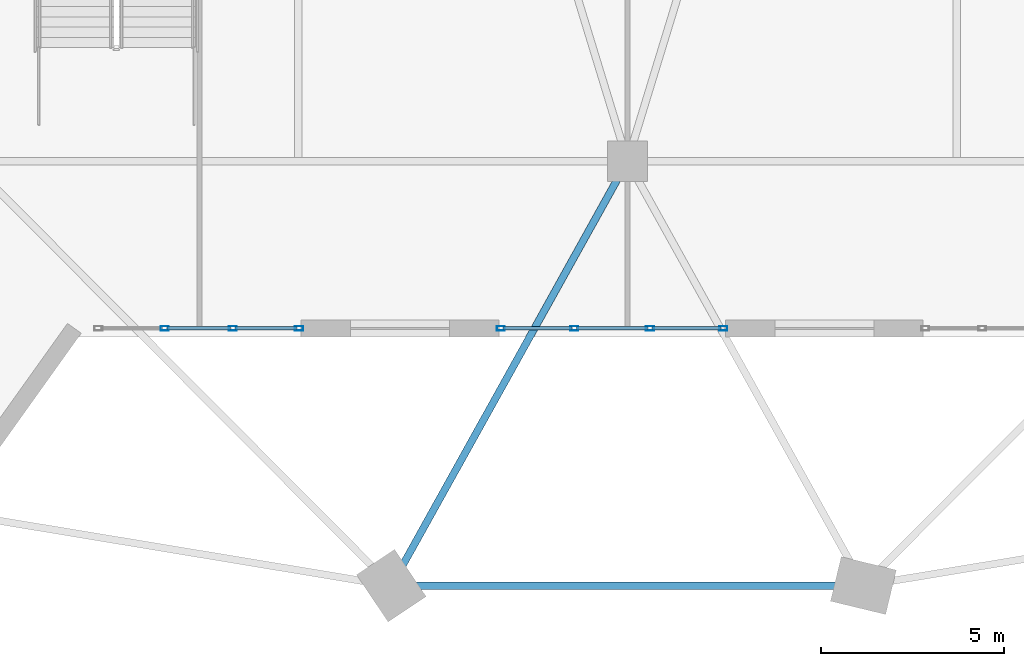
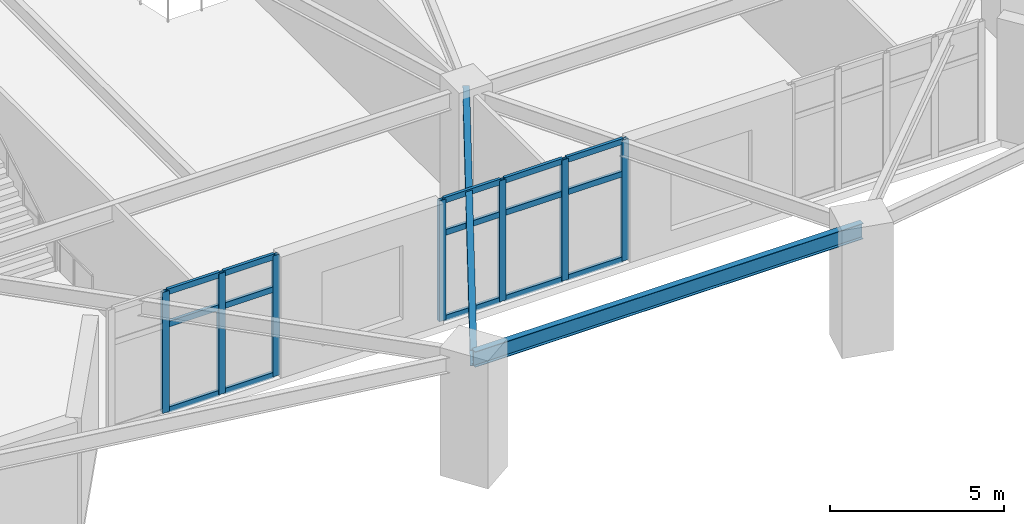
# One storey, part 8 of 29: 22 members, 2 beams, 2 elements without a shape of their own.
"""IFC4 building model written with IfcOpenShell, lengths in metres."""

from ifc_helpers import new_model, si_unit, direction, frame, origin, origin_2d, place, context, subcontext, project, spatial, hollow_rectangle, i_section, extrude, source, transform, mapped, material, layer, layer_set, material_profile, profile_set, type_object, element, aggregate, save


model = new_model("IFC4")

# Units and contexts
model_context = context("Model", 3, precision=1e-05, world=origin(), true_north=direction((0.0, 1.0)))
body_context = subcontext(model_context, "Body", "Model", "MODEL_VIEW")
ifc_project = project(units=[si_unit("LENGTHUNIT", "METRE"), si_unit("AREAUNIT", "SQUARE_METRE"), si_unit("VOLUMEUNIT", "CUBIC_METRE"), si_unit("PLANEANGLEUNIT", "RADIAN"), si_unit("MASSUNIT", "GRAM", prefix="KILO")], contexts=[model_context])

# Site, building, storey
site_placement = place(None, origin())
site = spatial("IfcSite", under=ifc_project, at=site_placement, CompositionType="ELEMENT")
building_placement = place(site_placement, origin())
building = spatial("IfcBuilding", under=site, at=building_placement, Name="Liaohun Quay Tower", CompositionType="ELEMENT")
storey_placement = place(building_placement, frame((0.0, 0.0, 5.39990234375)))
storey = spatial("IfcBuildingStorey", under=building, at=storey_placement, Name="L02", CompositionType="ELEMENT", Elevation=5.39990234375)

# Beams
ifc_material_1 = material(Name="Steel Q355D", Category="steel")
ifc_material_profile_1 = material_profile(ifc_material_1, i_section(OverallWidth=0.199951171875, OverallDepth=0.550048828125, WebThickness=0.010009765625, FlangeThickness=0.01611328125, at=origin_2d()), Name="HN550x200x10x16")
ifc_profile_set_1 = profile_set([ifc_material_profile_1], Name="Steel Q355D")
beam_type = type_object("IfcBeamType", Name="BM-POD-G2", PredefinedType="BEAM", material=ifc_profile_set_1)
shared_shape_1 = source(origin(), body_context, "Body", "SweptSolid", [
    extrude(i_section(OverallWidth=0.199951171875, OverallDepth=0.550048828125, WebThickness=0.010009765625, FlangeThickness=0.01611328125, at=origin_2d()), origin(), (0.0, 0.0, 1.0), 13.27734375),
])
beam_1_placement = place(storey_placement, frame((53.5458984375, 12.39697265625, 3.97509765625), z_axis=(0.486101867227, 0.87390215395, 0.0), x_axis=(-0.87390215395, 0.486101867227, 0.0)))
element("IfcBeam", 1, at=beam_1_placement, inside=storey, type_object=beam_type, Name="L02 Primary Grid Girder PC01-PG03", PredefinedType="BEAM", context=body_context, shape_type="MappedRepresentation", body=[
    mapped(shared_shape_1, transform((0.0, 0.0, 0.0), x_axis=(1.0, 0.0, 0.0), y_axis=(0.0, 1.0, 0.0), z_axis=(0.0, 0.0, 1.0), scale=1.0)),
])
shared_shape_2 = source(origin(), body_context, "Body", "SweptSolid", [
    extrude(i_section(OverallWidth=0.199951171875, OverallDepth=0.550048828125, WebThickness=0.010009765625, FlangeThickness=0.01611328125, at=origin_2d()), origin(), (0.0, 0.0, 1.0), 12.902099609375),
])
beam_2_placement = place(storey_placement, frame((53.5458984375, 12.39697265625, 3.97509765625), z_axis=(0.999999988542, 0.000151380398, 0.0), x_axis=(-0.000151380398, 0.999999988542, 0.0)))
element("IfcBeam", 2, at=beam_2_placement, inside=storey, type_object=beam_type, Name="L02 Primary Grid Girder PC01-PC11", PredefinedType="BEAM", context=body_context, shape_type="MappedRepresentation", body=[
    mapped(shared_shape_2, transform((0.0, 0.0, 0.0), x_axis=(1.0, 0.0, 0.0), y_axis=(0.0, 1.0, 0.0), z_axis=(0.0, 0.0, 1.0), scale=1.0)),
])

# Curtain wall, members
ifc_material_2 = material(Name="Thermally broken waterfront lobby unitised curtain wall")
ifc_layer = layer(ifc_material_2, 0.219970703125, Name="Thermally broken waterfront lobby unitised curtain wall")
ifc_layer_set = layer_set([ifc_layer], Name="Thermally broken waterfront lobby unitised curtain wall")
curtain_wall_type = type_object("IfcCurtainWallType", Name="CW-POD-PROM", PredefinedType="NOTDEFINED", material=ifc_layer_set)
curtain_wall_1_placement = place(storey_placement, origin())
curtain_wall_1 = element("IfcCurtainWall", 3, at=curtain_wall_1_placement, inside=storey, type_object=curtain_wall_type, Name="L02 Waterfront Lobby Curtain Wall CW1-1", PredefinedType="NOTDEFINED")
ifc_material_3 = material(Name="Anodised aluminium 6063-T6", Category="aluminium")
ifc_material_profile_2 = material_profile(ifc_material_3, hollow_rectangle(XDim=0.10009765625, YDim=0.199951171875, WallThickness=0.006103515625, at=origin_2d()), Name="RHS200x100x6")
ifc_profile_set_2 = profile_set([ifc_material_profile_2], Name="Anodised aluminium 6063-T6")
member_type_1 = type_object("IfcMemberType", Name="MEM-CWT-LOB", PredefinedType="USERDEFINED", material=ifc_profile_set_2)
shared_shape_3 = source(origin(), body_context, "Body", "SweptSolid", [
    extrude(hollow_rectangle(XDim=0.10009765625, YDim=0.199951171875, WallThickness=0.006103515625, at=origin_2d()), origin(), (0.0, 0.0, 1.0), 1.6865234375),
])
member_1_placement = place(storey_placement, frame((49.275390625, 19.429931640625, 0.050048828125), z_axis=(1.0, 0.0, 0.0), x_axis=(0.0, 1.0, 0.0)))
member_1 = element("IfcMember", 4, at=member_1_placement, type_object=member_type_1, Name="CW1 transom 3.1", ObjectType="TRANSOM", PredefinedType="USERDEFINED", context=body_context, shape_type="MappedRepresentation", body=[
    mapped(shared_shape_3, transform((0.0, 0.0, 0.0), x_axis=(1.0, 0.0, 0.0), y_axis=(0.0, 1.0, 0.0), z_axis=(0.0, 0.0, 1.0), scale=1.0)),
])
member_2_placement = place(storey_placement, frame((49.275390625, 19.429931640625, 3.06005859375), z_axis=(1.0, 0.0, 0.0), x_axis=(0.0, 1.0, 0.0)))
member_2 = element("IfcMember", 5, at=member_2_placement, type_object=member_type_1, Name="CW1 transom 3.2", ObjectType="TRANSOM", PredefinedType="USERDEFINED", context=body_context, shape_type="MappedRepresentation", body=[
    mapped(shared_shape_3, transform((0.0, 0.0, 0.0), x_axis=(1.0, 0.0, 0.0), y_axis=(0.0, 1.0, 0.0), z_axis=(0.0, 0.0, 1.0), scale=1.0)),
])
member_3_placement = place(storey_placement, frame((49.275390625, 19.429931640625, 4.2001953125), z_axis=(1.0, 0.0, 0.0), x_axis=(0.0, 1.0, 0.0)))
member_3 = element("IfcMember", 6, at=member_3_placement, type_object=member_type_1, Name="CW1 transom 3.3", ObjectType="TRANSOM", PredefinedType="USERDEFINED", context=body_context, shape_type="MappedRepresentation", body=[
    mapped(shared_shape_3, transform((0.0, 0.0, 0.0), x_axis=(1.0, 0.0, 0.0), y_axis=(0.0, 1.0, 0.0), z_axis=(0.0, 0.0, 1.0), scale=1.0)),
])
shared_shape_4 = source(origin(), body_context, "Body", "SweptSolid", [
    extrude(hollow_rectangle(XDim=0.10009765625, YDim=0.199951171875, WallThickness=0.006103515625, at=origin_2d()), origin(), (0.0, 0.0, 1.0), 1.74658203125),
])
member_4_placement = place(storey_placement, frame((47.40869140625, 19.429931640625, 0.050048828125), z_axis=(1.0, 0.0, 0.0), x_axis=(0.0, 1.0, 0.0)))
member_4 = element("IfcMember", 7, at=member_4_placement, type_object=member_type_1, Name="CW1 transom 2.1", ObjectType="TRANSOM", PredefinedType="USERDEFINED", context=body_context, shape_type="MappedRepresentation", body=[
    mapped(shared_shape_4, transform((0.0, 0.0, 0.0), x_axis=(1.0, 0.0, 0.0), y_axis=(0.0, 1.0, 0.0), z_axis=(0.0, 0.0, 1.0), scale=1.0)),
])
member_5_placement = place(storey_placement, frame((47.40869140625, 19.429931640625, 3.06005859375), z_axis=(1.0, 0.0, 0.0), x_axis=(0.0, 1.0, 0.0)))
member_5 = element("IfcMember", 8, at=member_5_placement, type_object=member_type_1, Name="CW1 transom 2.2", ObjectType="TRANSOM", PredefinedType="USERDEFINED", context=body_context, shape_type="MappedRepresentation", body=[
    mapped(shared_shape_4, transform((0.0, 0.0, 0.0), x_axis=(1.0, 0.0, 0.0), y_axis=(0.0, 1.0, 0.0), z_axis=(0.0, 0.0, 1.0), scale=1.0)),
])
member_6_placement = place(storey_placement, frame((47.40869140625, 19.429931640625, 4.2001953125), z_axis=(1.0, 0.0, 0.0), x_axis=(0.0, 1.0, 0.0)))
member_6 = element("IfcMember", 9, at=member_6_placement, type_object=member_type_1, Name="CW1 transom 2.3", ObjectType="TRANSOM", PredefinedType="USERDEFINED", context=body_context, shape_type="MappedRepresentation", body=[
    mapped(shared_shape_4, transform((0.0, 0.0, 0.0), x_axis=(1.0, 0.0, 0.0), y_axis=(0.0, 1.0, 0.0), z_axis=(0.0, 0.0, 1.0), scale=1.0)),
])

curtain_wall_2_placement = place(storey_placement, origin())
curtain_wall_2 = element("IfcCurtainWall", 10, at=curtain_wall_2_placement, inside=storey, type_object=curtain_wall_type, Name="L02 Waterfront Lobby Curtain Wall CW1-2", PredefinedType="NOTDEFINED")
shared_shape_5 = source(origin(), body_context, "Body", "SweptSolid", [
    extrude(hollow_rectangle(XDim=0.10009765625, YDim=0.199951171875, WallThickness=0.006103515625, at=origin_2d()), origin(), (0.0, 0.0, 1.0), 1.88671875),
])
member_7_placement = place(storey_placement, frame((56.60205078125, 19.429931640625, 0.050048828125), z_axis=(1.0, 0.0, 0.0), x_axis=(0.0, 1.0, 0.0)))
member_7 = element("IfcMember", 11, at=member_7_placement, type_object=member_type_1, Name="CW1 transom 1.1", ObjectType="TRANSOM", PredefinedType="USERDEFINED", context=body_context, shape_type="MappedRepresentation", body=[
    mapped(shared_shape_5, transform((0.0, 0.0, 0.0), x_axis=(1.0, 0.0, 0.0), y_axis=(0.0, 1.0, 0.0), z_axis=(0.0, 0.0, 1.0), scale=1.0)),
])
member_8_placement = place(storey_placement, frame((56.60205078125, 19.429931640625, 3.06005859375), z_axis=(1.0, 0.0, 0.0), x_axis=(0.0, 1.0, 0.0)))
member_8 = element("IfcMember", 12, at=member_8_placement, type_object=member_type_1, Name="CW1 transom 1.2", ObjectType="TRANSOM", PredefinedType="USERDEFINED", context=body_context, shape_type="MappedRepresentation", body=[
    mapped(shared_shape_5, transform((0.0, 0.0, 0.0), x_axis=(1.0, 0.0, 0.0), y_axis=(0.0, 1.0, 0.0), z_axis=(0.0, 0.0, 1.0), scale=1.0)),
])
member_9_placement = place(storey_placement, frame((56.60205078125, 19.429931640625, 4.2001953125), z_axis=(1.0, 0.0, 0.0), x_axis=(0.0, 1.0, 0.0)))
member_9 = element("IfcMember", 13, at=member_9_placement, type_object=member_type_1, Name="CW1 transom 1.3", ObjectType="TRANSOM", PredefinedType="USERDEFINED", context=body_context, shape_type="MappedRepresentation", body=[
    mapped(shared_shape_5, transform((0.0, 0.0, 0.0), x_axis=(1.0, 0.0, 0.0), y_axis=(0.0, 1.0, 0.0), z_axis=(0.0, 0.0, 1.0), scale=1.0)),
])
member_10_placement = place(storey_placement, frame((60.67529296875, 19.429931640625, 0.050048828125), z_axis=(1.0, 0.0, 0.0), x_axis=(0.0, 1.0, 0.0)))
member_10 = element("IfcMember", 14, at=member_10_placement, type_object=member_type_1, Name="CW1 transom 3.1", ObjectType="TRANSOM", PredefinedType="USERDEFINED", context=body_context, shape_type="MappedRepresentation", body=[
    mapped(shared_shape_5, transform((0.0, 0.0, 0.0), x_axis=(1.0, 0.0, 0.0), y_axis=(0.0, 1.0, 0.0), z_axis=(0.0, 0.0, 1.0), scale=1.0)),
])
member_11_placement = place(storey_placement, frame((60.67529296875, 19.429931640625, 3.06005859375), z_axis=(1.0, 0.0, 0.0), x_axis=(0.0, 1.0, 0.0)))
member_11 = element("IfcMember", 15, at=member_11_placement, type_object=member_type_1, Name="CW1 transom 3.2", ObjectType="TRANSOM", PredefinedType="USERDEFINED", context=body_context, shape_type="MappedRepresentation", body=[
    mapped(shared_shape_5, transform((0.0, 0.0, 0.0), x_axis=(1.0, 0.0, 0.0), y_axis=(0.0, 1.0, 0.0), z_axis=(0.0, 0.0, 1.0), scale=1.0)),
])
member_12_placement = place(storey_placement, frame((60.67529296875, 19.429931640625, 4.2001953125), z_axis=(1.0, 0.0, 0.0), x_axis=(0.0, 1.0, 0.0)))
member_12 = element("IfcMember", 16, at=member_12_placement, type_object=member_type_1, Name="CW1 transom 3.3", ObjectType="TRANSOM", PredefinedType="USERDEFINED", context=body_context, shape_type="MappedRepresentation", body=[
    mapped(shared_shape_5, transform((0.0, 0.0, 0.0), x_axis=(1.0, 0.0, 0.0), y_axis=(0.0, 1.0, 0.0), z_axis=(0.0, 0.0, 1.0), scale=1.0)),
])
shared_shape_6 = source(origin(), body_context, "Body", "SweptSolid", [
    extrude(hollow_rectangle(XDim=0.10009765625, YDim=0.199951171875, WallThickness=0.006103515625, at=origin_2d()), origin(), (0.0, 0.0, 1.0), 1.94677734375),
])
member_13_placement = place(storey_placement, frame((58.608642578125, 19.429931640625, 0.050048828125), z_axis=(1.0, 0.0, 0.0), x_axis=(0.0, 1.0, 0.0)))
member_13 = element("IfcMember", 17, at=member_13_placement, type_object=member_type_1, Name="CW1 transom 2.1", ObjectType="TRANSOM", PredefinedType="USERDEFINED", context=body_context, shape_type="MappedRepresentation", body=[
    mapped(shared_shape_6, transform((0.0, 0.0, 0.0), x_axis=(1.0, 0.0, 0.0), y_axis=(0.0, 1.0, 0.0), z_axis=(0.0, 0.0, 1.0), scale=1.0)),
])
member_14_placement = place(storey_placement, frame((58.608642578125, 19.429931640625, 3.06005859375), z_axis=(1.0, 0.0, 0.0), x_axis=(0.0, 1.0, 0.0)))
member_14 = element("IfcMember", 18, at=member_14_placement, type_object=member_type_1, Name="CW1 transom 2.2", ObjectType="TRANSOM", PredefinedType="USERDEFINED", context=body_context, shape_type="MappedRepresentation", body=[
    mapped(shared_shape_6, transform((0.0, 0.0, 0.0), x_axis=(1.0, 0.0, 0.0), y_axis=(0.0, 1.0, 0.0), z_axis=(0.0, 0.0, 1.0), scale=1.0)),
])
member_15_placement = place(storey_placement, frame((58.608642578125, 19.429931640625, 4.2001953125), z_axis=(1.0, 0.0, 0.0), x_axis=(0.0, 1.0, 0.0)))
member_15 = element("IfcMember", 19, at=member_15_placement, type_object=member_type_1, Name="CW1 transom 2.3", ObjectType="TRANSOM", PredefinedType="USERDEFINED", context=body_context, shape_type="MappedRepresentation", body=[
    mapped(shared_shape_6, transform((0.0, 0.0, 0.0), x_axis=(1.0, 0.0, 0.0), y_axis=(0.0, 1.0, 0.0), z_axis=(0.0, 0.0, 1.0), scale=1.0)),
])

# Member
ifc_material_profile_3 = material_profile(ifc_material_3, hollow_rectangle(XDim=0.1201171875, YDim=0.219970703125, WallThickness=0.008056640625, at=origin_2d()), Name="RHS220x120x8")
ifc_profile_set_3 = profile_set([ifc_material_profile_3], Name="Anodised aluminium 6063-T6")
member_type_2 = type_object("IfcMemberType", Name="MEM-CWM-LOB", PredefinedType="MULLION", material=ifc_profile_set_3)
shared_shape_7 = source(origin(), body_context, "Body", "SweptSolid", [
    extrude(hollow_rectangle(XDim=0.1201171875, YDim=0.219970703125, WallThickness=0.008056640625, at=origin_2d()), origin(), (0.0, 0.0, 1.0), 4.25),
])
member_16_placement = place(storey_placement, frame((47.3486328125, 19.429931640625, 0.0), z_axis=(0.0, 0.0, 1.0), x_axis=(0.0, 1.0, 0.0)))
member_16 = element("IfcMember", 20, at=member_16_placement, type_object=member_type_2, Name="CW1 mullion 2", PredefinedType="MULLION", context=body_context, shape_type="MappedRepresentation", body=[
    mapped(shared_shape_7, transform((0.0, 0.0, 0.0), x_axis=(1.0, 0.0, 0.0), y_axis=(0.0, 1.0, 0.0), z_axis=(0.0, 0.0, 1.0), scale=1.0)),
])

member_17_placement = place(storey_placement, frame((49.21533203125, 19.429931640625, 0.0), z_axis=(0.0, 0.0, 1.0), x_axis=(0.0, 1.0, 0.0)))
member_17 = element("IfcMember", 21, at=member_17_placement, type_object=member_type_2, Name="CW1 mullion 3", PredefinedType="MULLION", context=body_context, shape_type="MappedRepresentation", body=[
    mapped(shared_shape_7, transform((0.0, 0.0, 0.0), x_axis=(1.0, 0.0, 0.0), y_axis=(0.0, 1.0, 0.0), z_axis=(0.0, 0.0, 1.0), scale=1.0)),
])

member_18_placement = place(storey_placement, frame((51.02197265625, 19.429931640625, 0.0), z_axis=(0.0, 0.0, 1.0), x_axis=(0.0, 1.0, 0.0)))
member_18 = element("IfcMember", 22, at=member_18_placement, type_object=member_type_2, Name="CW1 mullion 4", PredefinedType="MULLION", context=body_context, shape_type="MappedRepresentation", body=[
    mapped(shared_shape_7, transform((0.0, 0.0, 0.0), x_axis=(1.0, 0.0, 0.0), y_axis=(0.0, 1.0, 0.0), z_axis=(0.0, 0.0, 1.0), scale=1.0)),
])

aggregate(curtain_wall_1, [member_16, member_17, member_18, member_4, member_5, member_6, member_1, member_2, member_3])

member_19_placement = place(storey_placement, frame((56.5419921875, 19.429931640625, 0.0), z_axis=(0.0, 0.0, 1.0), x_axis=(0.0, 1.0, 0.0)))
member_19 = element("IfcMember", 23, at=member_19_placement, type_object=member_type_2, Name="CW1 mullion 1", PredefinedType="MULLION", context=body_context, shape_type="MappedRepresentation", body=[
    mapped(shared_shape_7, transform((0.0, 0.0, 0.0), x_axis=(1.0, 0.0, 0.0), y_axis=(0.0, 1.0, 0.0), z_axis=(0.0, 0.0, 1.0), scale=1.0)),
])

member_20_placement = place(storey_placement, frame((58.548583984375, 19.429931640625, 0.0), z_axis=(0.0, 0.0, 1.0), x_axis=(0.0, 1.0, 0.0)))
member_20 = element("IfcMember", 24, at=member_20_placement, type_object=member_type_2, Name="CW1 mullion 2", PredefinedType="MULLION", context=body_context, shape_type="MappedRepresentation", body=[
    mapped(shared_shape_7, transform((0.0, 0.0, 0.0), x_axis=(1.0, 0.0, 0.0), y_axis=(0.0, 1.0, 0.0), z_axis=(0.0, 0.0, 1.0), scale=1.0)),
])

member_21_placement = place(storey_placement, frame((60.615234375, 19.429931640625, 0.0), z_axis=(0.0, 0.0, 1.0), x_axis=(0.0, 1.0, 0.0)))
member_21 = element("IfcMember", 25, at=member_21_placement, type_object=member_type_2, Name="CW1 mullion 3", PredefinedType="MULLION", context=body_context, shape_type="MappedRepresentation", body=[
    mapped(shared_shape_7, transform((0.0, 0.0, 0.0), x_axis=(1.0, 0.0, 0.0), y_axis=(0.0, 1.0, 0.0), z_axis=(0.0, 0.0, 1.0), scale=1.0)),
])

member_22_placement = place(storey_placement, frame((62.6220703125, 19.429931640625, 0.0), z_axis=(0.0, 0.0, 1.0), x_axis=(0.0, 1.0, 0.0)))
member_22 = element("IfcMember", 26, at=member_22_placement, type_object=member_type_2, Name="CW1 mullion 4", PredefinedType="MULLION", context=body_context, shape_type="MappedRepresentation", body=[
    mapped(shared_shape_7, transform((0.0, 0.0, 0.0), x_axis=(1.0, 0.0, 0.0), y_axis=(0.0, 1.0, 0.0), z_axis=(0.0, 0.0, 1.0), scale=1.0)),
])

aggregate(curtain_wall_2, [member_19, member_20, member_21, member_22, member_7, member_8, member_9, member_13, member_14, member_15, member_10, member_11, member_12])

save(model, "model.ifc")
